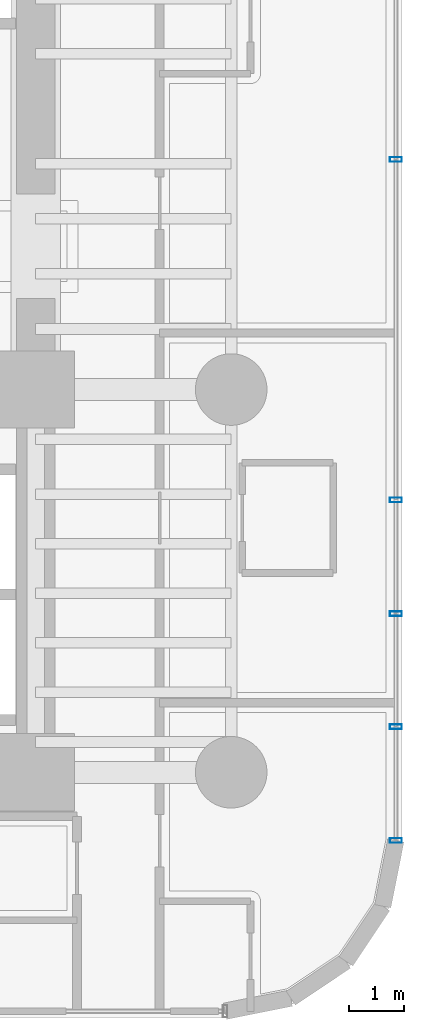
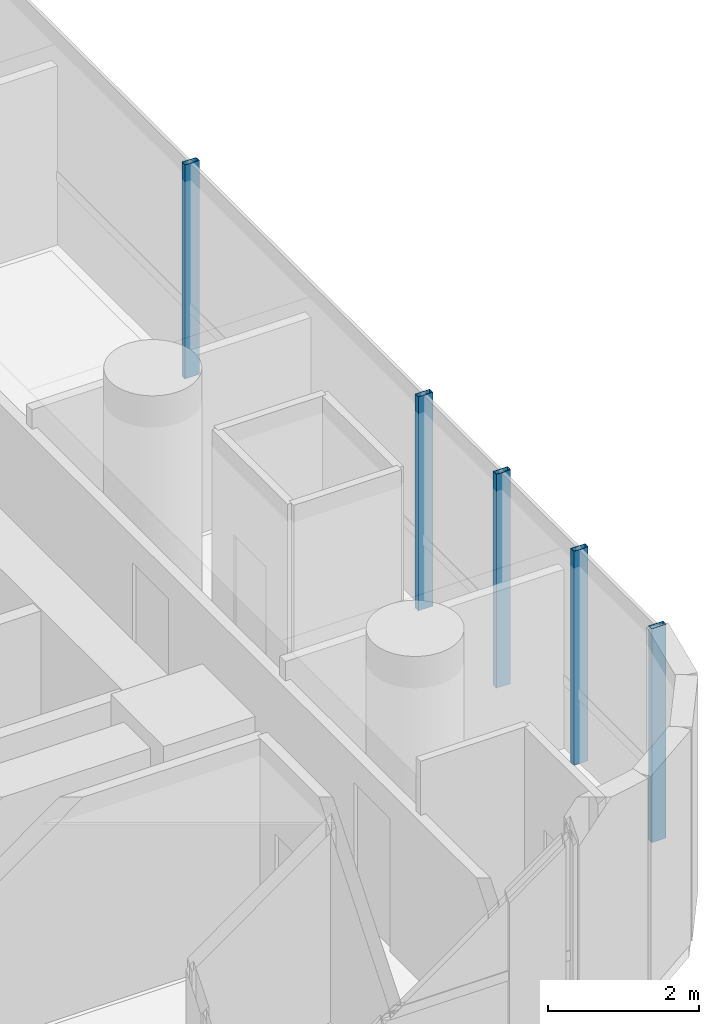
# One storey, part 25 of 41: 5 members, 1 element without a shape of its own.
"""IFC4 building model written with IfcOpenShell, lengths in metres."""

import ifcopenshell
import ifcopenshell.guid

model = None  # the IFC model being written
_history = None  # IfcOwnerHistory: only IFC2X3 demands one
_inside = {}  # id of a spatial element -> (the spatial element, [elements in it])
_under = {}  # id of a project, library or spatial element -> (it, [spatial elements below it])
_declared = {}  # id of a project -> (the project, [libraries it declares])
_typed = {}  # id of a type object -> (the type object, [elements of that type])
_made_of = {}  # id of a material, layer set ... -> (it, [elements and type objects made of it])


def new_model(schema):
    """Start an empty IFC model of exactly this schema.

    Asked for "IFC4X3", IfcOpenShell would pick the latest addendum, in which some entities
    have other attributes; the version numbers below select the first issue.
    IFC2X3 requires an IfcOwnerHistory on every rooted entity: one is made here for all.
    """
    global model, _history
    if schema == "IFC4X3":
        model = ifcopenshell.file(schema_version=(4, 3, 0, 0))
    else:
        model = ifcopenshell.file(schema=schema)
    _inside.clear()
    _under.clear()
    _declared.clear()
    _typed.clear()
    _made_of.clear()
    _history = None
    if model.schema == "IFC2X3":
        org = make("IfcOrganization", Name="unknown")
        user = make(
            "IfcPersonAndOrganization",
            ThePerson=make("IfcPerson", FamilyName="unknown"),
            TheOrganization=org,
        )
        app = make(
            "IfcApplication",
            ApplicationDeveloper=org,
            Version="unknown",
            ApplicationFullName="unknown",
            ApplicationIdentifier="unknown",
        )
        _history = make(
            "IfcOwnerHistory",
            OwningUser=user,
            OwningApplication=app,
            ChangeAction="ADDED",
            CreationDate=0,
        )
    return model


def make(cls, **values):
    """One entity of the class cls with the attributes given. An attribute that is None is left unset."""
    return model.create_entity(
        cls, **{name: value for name, value in values.items() if value is not None}
    )


def rooted(cls, **values):
    """An entity with a GlobalId (a new one), such as an element, a storey or a relation."""
    return make(cls, GlobalId=ifcopenshell.guid.new(), OwnerHistory=_history, **values)


def si_unit(unit_type, name, prefix=None):
    """IfcSIUnit, for example si_unit("LENGTHUNIT", "METRE", prefix="MILLI")."""
    return make("IfcSIUnit", UnitType=unit_type, Prefix=prefix, Name=name)


def assignment(units):
    """IfcUnitAssignment: the units of a project."""
    return None if units is None else make("IfcUnitAssignment", Units=units)


def point(xyz):
    """IfcCartesianPoint."""
    return None if xyz is None else make("IfcCartesianPoint", Coordinates=xyz)


def direction(xyz):
    """IfcDirection."""
    return None if xyz is None else make("IfcDirection", DirectionRatios=xyz)


def frame(location, z_axis=None, x_axis=None):
    """IfcAxis2Placement3D, a coordinate frame: its origin and axes. An axis left out is left unset."""
    return make(
        "IfcAxis2Placement3D",
        Location=point(location),
        Axis=direction(z_axis),
        RefDirection=direction(x_axis),
    )


def frame_2d(location, x_axis=None):
    """IfcAxis2Placement2D, a coordinate frame in the plane: its origin and x axis."""
    return make(
        "IfcAxis2Placement2D", Location=point(location), RefDirection=direction(x_axis)
    )


def origin():
    """The frame at (0, 0, 0) with its axes left unset."""
    return frame((0.0, 0.0, 0.0))


def origin_2d():
    """The frame at (0, 0) in the plane with its x axis left unset."""
    return frame_2d((0.0, 0.0))


def place(relative_to, where):
    """IfcLocalPlacement: puts the frame where relative to a parent placement (None: the world)."""
    return make(
        "IfcLocalPlacement", PlacementRelTo=relative_to, RelativePlacement=where
    )


def context(
    kind, dimensions, precision=None, world=None, true_north=None, identifier=None
):
    """IfcGeometricRepresentationContext, for example the 3D "Model" context."""
    return make(
        "IfcGeometricRepresentationContext",
        ContextIdentifier=identifier,
        ContextType=kind,
        CoordinateSpaceDimension=dimensions,
        Precision=precision,
        WorldCoordinateSystem=world,
        TrueNorth=true_north,
    )


def subcontext(parent, identifier, kind, view, scale=None):
    """IfcGeometricRepresentationSubContext, for example "Body" below "Model"."""
    return make(
        "IfcGeometricRepresentationSubContext",
        ContextIdentifier=identifier,
        ContextType=kind,
        ParentContext=parent,
        TargetScale=scale,
        TargetView=view,
    )


def project(units=None, contexts=None):
    """IfcProject with its units and contexts."""
    return rooted(
        "IfcProject",
        Name="project",
        RepresentationContexts=contexts,
        UnitsInContext=assignment(units),
    )


def spatial(cls, under=None, at=None, **own):
    """A site, building, storey or space (cls), placed at a placement, below another one or the project."""
    s = rooted(cls, ObjectPlacement=at, **own)
    if under is not None:
        _under.setdefault(under.id(), (under, []))[1].append(s)
    return s


def profile(cls, at=None, kind="AREA", **sizes):
    """A parametric profile (cls). Its sizes go by their IFC names, for example OverallWidth=200.0."""
    return make(cls, ProfileType=kind, Position=at, **sizes)


def hollow_rectangle(**sizes):
    """IfcRectangleHollowProfileDef."""
    return profile("IfcRectangleHollowProfileDef", **sizes)


def extrude(swept, where, along, depth):
    """IfcExtrudedAreaSolid: the profile swept, set in the frame where, extruded along a direction by depth."""
    return make(
        "IfcExtrudedAreaSolid",
        SweptArea=swept,
        Position=where,
        ExtrudedDirection=direction(along),
        Depth=depth,
    )


def shape(context_of_items, identifier, shape_type, items):
    """IfcShapeRepresentation: the items that make up one representation, for example the "Body"."""
    return make(
        "IfcShapeRepresentation",
        ContextOfItems=context_of_items,
        RepresentationIdentifier=identifier,
        RepresentationType=shape_type,
        Items=items,
    )


def source(mapping_origin, context_of_items, identifier, shape_type, items):
    """IfcRepresentationMap: a shape defined once, which mapped items show again and again."""
    return make(
        "IfcRepresentationMap",
        MappingOrigin=mapping_origin,
        MappedRepresentation=shape(context_of_items, identifier, shape_type, items),
    )


def transform(
    local_origin,
    x_axis=None,
    y_axis=None,
    z_axis=None,
    scale=None,
    scale2=None,
    scale3=None,
    uniform=True,
):
    """IfcCartesianTransformationOperator3D, or its non-uniform kind. x_axis, y_axis, z_axis: its Axis1, 2, 3."""
    if uniform:
        return make(
            "IfcCartesianTransformationOperator3D",
            Axis1=direction(x_axis),
            Axis2=direction(y_axis),
            LocalOrigin=point(local_origin),
            Scale=scale,
            Axis3=direction(z_axis),
        )
    return make(
        "IfcCartesianTransformationOperator3DnonUniform",
        Axis1=direction(x_axis),
        Axis2=direction(y_axis),
        LocalOrigin=point(local_origin),
        Scale=scale,
        Axis3=direction(z_axis),
        Scale2=scale2,
        Scale3=scale3,
    )


def mapped(mapping_source, mapping_target):
    """IfcMappedItem: shows the shape of a source again, moved by a transform."""
    return make(
        "IfcMappedItem", MappingSource=mapping_source, MappingTarget=mapping_target
    )


def material(Name=None, Category=None):
    """IfcMaterial."""
    return make("IfcMaterial", Name=Name, Category=Category)


def material_profile(
    of_material, cross_section, Name=None, Category=None, Priority=None
):
    """IfcMaterialProfile: a cross section and its material."""
    return make(
        "IfcMaterialProfile",
        Name=Name,
        Material=of_material,
        Profile=cross_section,
        Priority=Priority,
        Category=Category,
    )


def profile_set(profiles, Name=None, composite=None):
    """IfcMaterialProfileSet."""
    return make(
        "IfcMaterialProfileSet",
        Name=Name,
        MaterialProfiles=profiles,
        CompositeProfile=composite,
    )


def made_of(thing, what):
    """Note that an element or type object is made of a material, layer set ...; save() writes the relation."""
    if what is not None:
        _made_of.setdefault(what.id(), (what, []))[1].append(thing)
    return thing


def type_object(cls, material=None, **own):
    """A type object (cls), such as IfcWallType, which elements share."""
    return made_of(rooted(cls, **own), material)


def element(
    cls,
    number,
    at=None,
    inside=None,
    cuts=None,
    type_object=None,
    material=None,
    context=None,
    identifier="Body",
    shape_type=None,
    held_by="IfcProductDefinitionShape",
    body=None,
    shapes=None,
    **own,
):
    """One element of the class cls, such as IfcWall. Its Tag is "e" and its number.

    at: its placement. inside: the storey or other place that contains it. cuts: it is an
    opening in that element (IfcRelVoidsElement). A single representation is given by context,
    identifier, shape_type and body (its items); several are given by shapes. held_by: the class
    of the entity that holds the representations. save() writes the other relations.
    """
    e = rooted(cls, Tag="e%d" % number, ObjectPlacement=at, **own)
    if body is not None:
        shapes = [shape(context, identifier, shape_type, body)]
    if shapes is not None:
        e.Representation = make(held_by, Representations=shapes)
    if inside is not None:
        _inside.setdefault(inside.id(), (inside, []))[1].append(e)
    if cuts is not None:
        rooted(
            "IfcRelVoidsElement", RelatingBuildingElement=cuts, RelatedOpeningElement=e
        )
    if type_object is not None:
        _typed.setdefault(type_object.id(), (type_object, []))[1].append(e)
    return made_of(e, material)


def aggregate(whole, parts):
    """IfcRelAggregates: a whole, such as a stair, and the parts it consists of."""
    return rooted("IfcRelAggregates", RelatingObject=whole, RelatedObjects=parts)


def save(model, path):
    """Write the relations noted so far, then the file.

    IfcRelAggregates (storeys below a building ...), IfcRelContainedInSpatialStructure (elements
    in a storey), IfcRelDefinesByType, IfcRelAssociatesMaterial and IfcRelDeclares: one each for
    every whole, place, type object, material and project.
    """
    for whole, parts in _under.values():
        aggregate(whole, parts)
    for where, things in _inside.values():
        rooted(
            "IfcRelContainedInSpatialStructure",
            RelatedElements=things,
            RelatingStructure=where,
        )
    for kind, things in _typed.values():
        rooted("IfcRelDefinesByType", RelatedObjects=things, RelatingType=kind)
    for what, things in _made_of.values():
        rooted("IfcRelAssociatesMaterial", RelatedObjects=things, RelatingMaterial=what)
    for by, libraries in _declared.values():
        rooted("IfcRelDeclares", RelatingContext=by, RelatedDefinitions=libraries)
    model.write(path)


model = new_model("IFC4")

# Units and contexts
model_context = context("Model", 3, precision=1e-05, world=origin(), true_north=direction((0.0, 1.0)))
body_context = subcontext(model_context, "Body", "Model", "MODEL_VIEW")
ifc_project = project(units=[si_unit("LENGTHUNIT", "METRE"), si_unit("AREAUNIT", "SQUARE_METRE"), si_unit("VOLUMEUNIT", "CUBIC_METRE"), si_unit("PLANEANGLEUNIT", "RADIAN"), si_unit("MASSUNIT", "GRAM", prefix="KILO")], contexts=[model_context])

# Site, building, storey
site_placement = place(None, origin())
site = spatial("IfcSite", under=ifc_project, at=site_placement, CompositionType="ELEMENT")
building_placement = place(site_placement, origin())
building = spatial("IfcBuilding", under=site, at=building_placement, Name="Valdorenza Pilgrim Sanctuary Tower", CompositionType="ELEMENT")
storey_placement = place(building_placement, frame((0.0, 0.0, 63.0)))
storey = spatial("IfcBuildingStorey", under=building, at=storey_placement, Name="L15", CompositionType="ELEMENT", Elevation=63.0)

# Curtain wall, members
ifc_material_1 = material(Name="Curtain-wall IGU glazing", Category="glass")
curtain_wall_type = type_object("IfcCurtainWallType", Name="CW-SYS-03", PredefinedType="NOTDEFINED", material=ifc_material_1)
curtain_wall_placement = place(storey_placement, origin())
curtain_wall = element("IfcCurtainWall", 1, at=curtain_wall_placement, inside=storey, type_object=curtain_wall_type, Name="L15 Curtain Wall CW-L15-1-21", PredefinedType="NOTDEFINED")
ifc_material_2 = material(Name="Anodised aluminium AW-6060", Category="aluminium")
ifc_material_profile = material_profile(ifc_material_2, hollow_rectangle(XDim=0.0849609375, YDim=0.219970703125, WallThickness=0.0048828125, at=origin_2d()), Name="ALU-M 220x85x5")
ifc_profile_set = profile_set([ifc_material_profile], Name="Anodised aluminium AW-6060")
member_type = type_object("IfcMemberType", Name="CW-MUL-03", PredefinedType="MULLION", material=ifc_profile_set)
shared_shape = source(origin(), body_context, "Body", "SweptSolid", [
    extrude(hollow_rectangle(XDim=0.0849609375, YDim=0.219970703125, WallThickness=0.0048828125, at=origin_2d()), origin(), (0.0, 0.0, 1.0), 3.4599609375),
])
member_1_placement = place(storey_placement, frame((31.389892578125, 1.577880859375, 0.0), z_axis=(0.0, 0.0, 1.0), x_axis=(0.0, -1.0, 0.0)))
member_1 = element("IfcMember", 2, at=member_1_placement, type_object=member_type, Name="CW-L15-1-21 Mullion 3", PredefinedType="MULLION", context=body_context, shape_type="MappedRepresentation", body=[
    mapped(shared_shape, transform((0.0, 0.0, 0.0), x_axis=(1.0, 0.0, 0.0), y_axis=(0.0, 1.0, 0.0), z_axis=(0.0, 0.0, 1.0), scale=1.0)),
])
member_2_placement = place(storey_placement, frame((31.389892578125, -4.605712890625, 0.0), z_axis=(0.0, 0.0, 1.0), x_axis=(0.0, -1.0, 0.0)))
member_2 = element("IfcMember", 3, at=member_2_placement, type_object=member_type, Name="CW-L15-1-21 Mullion 4", PredefinedType="MULLION", context=body_context, shape_type="MappedRepresentation", body=[
    mapped(shared_shape, transform((0.0, 0.0, 0.0), x_axis=(1.0, 0.0, 0.0), y_axis=(0.0, 1.0, 0.0), z_axis=(0.0, 0.0, 1.0), scale=1.0)),
])
member_3_placement = place(storey_placement, frame((31.389892578125, -10.789306640625, 0.0), z_axis=(0.0, 0.0, 1.0), x_axis=(0.0, -1.0, 0.0)))
member_3 = element("IfcMember", 4, at=member_3_placement, type_object=member_type, Name="CW-L15-1-21 Mullion 5", PredefinedType="MULLION", context=body_context, shape_type="MappedRepresentation", body=[
    mapped(shared_shape, transform((0.0, 0.0, 0.0), x_axis=(1.0, 0.0, 0.0), y_axis=(0.0, 1.0, 0.0), z_axis=(0.0, 0.0, 1.0), scale=1.0)),
])
member_4_placement = place(storey_placement, frame((31.389892578125, -6.670166015625, 0.0), z_axis=(0.0, 0.0, 1.0), x_axis=(0.0, -1.0, 0.0)))
member_4 = element("IfcMember", 5, at=member_4_placement, type_object=member_type, Name="CW-L15-1-21 Sub-Mullion 21-1", PredefinedType="MULLION", context=body_context, shape_type="MappedRepresentation", body=[
    mapped(shared_shape, transform((0.0, 0.0, 0.0), x_axis=(1.0, 0.0, 0.0), y_axis=(0.0, 1.0, 0.0), z_axis=(0.0, 0.0, 1.0), scale=1.0)),
])
member_5_placement = place(storey_placement, frame((31.389892578125, -8.724609375, 0.0), z_axis=(0.0, 0.0, 1.0), x_axis=(0.0, -1.0, 0.0)))
member_5 = element("IfcMember", 6, at=member_5_placement, type_object=member_type, Name="CW-L15-1-21 Sub-Mullion 21-2", PredefinedType="MULLION", context=body_context, shape_type="MappedRepresentation", body=[
    mapped(shared_shape, transform((0.0, 0.0, 0.0), x_axis=(1.0, 0.0, 0.0), y_axis=(0.0, 1.0, 0.0), z_axis=(0.0, 0.0, 1.0), scale=1.0)),
])
aggregate(curtain_wall, [member_1, member_2, member_3, member_4, member_5])

save(model, "model.ifc")
